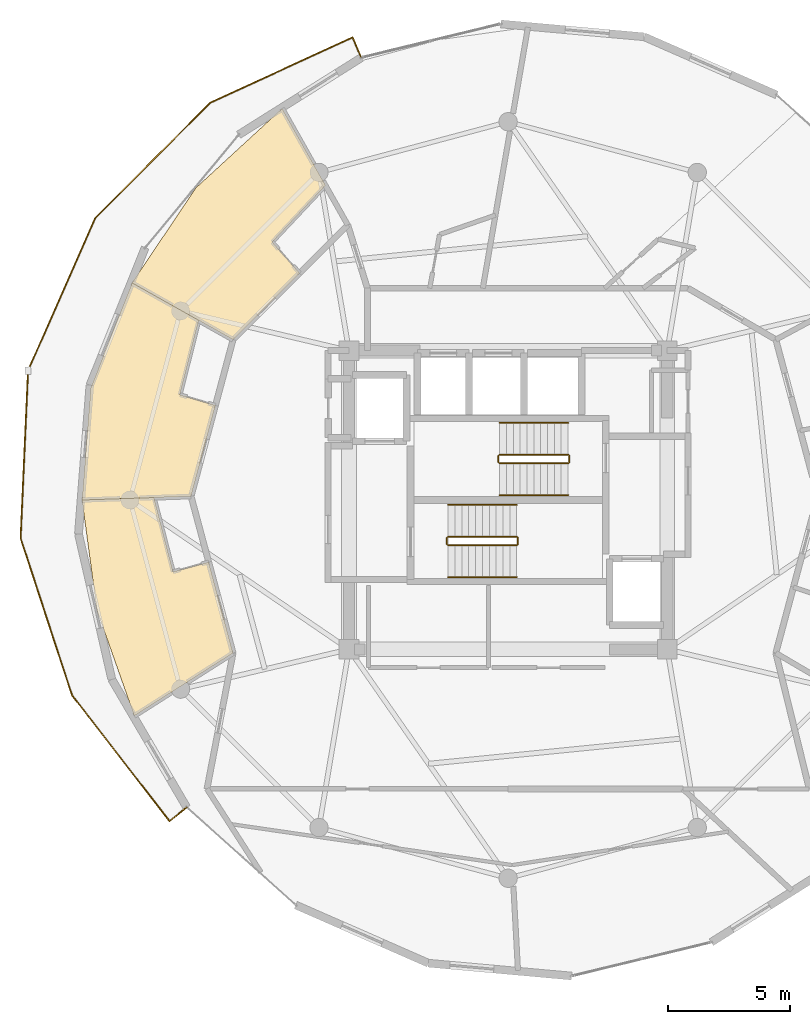
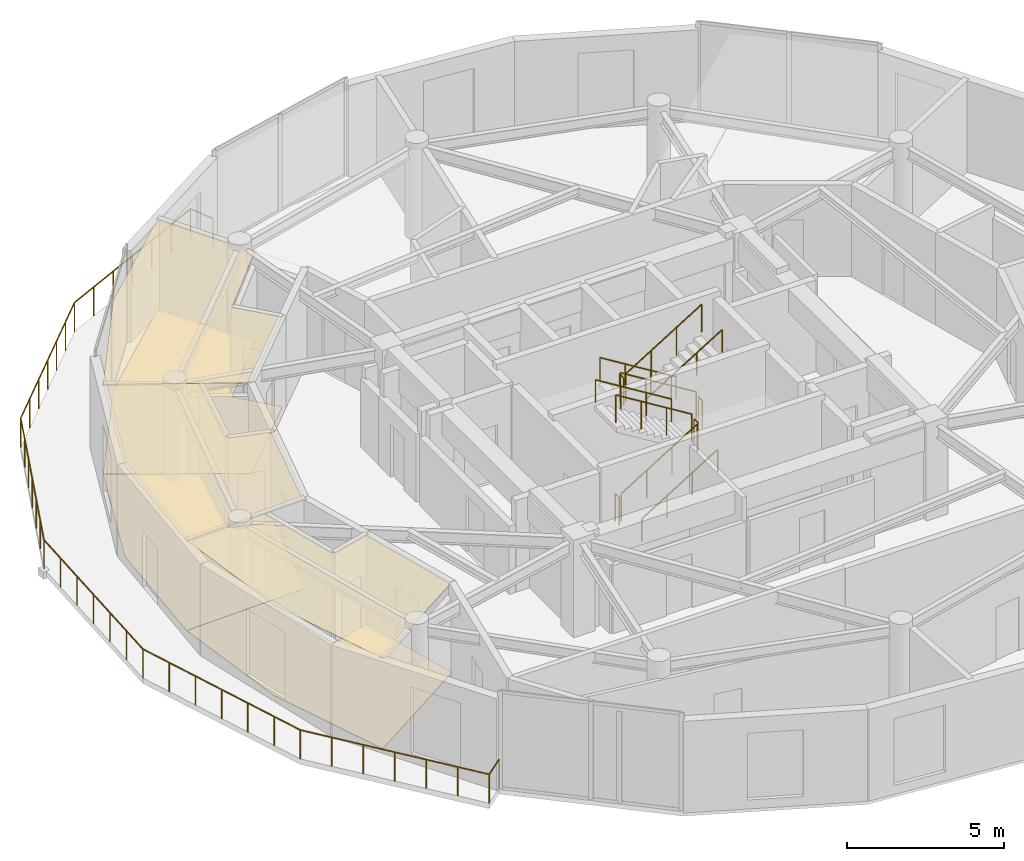
# One storey, part 18 of 19: 13 railings, 6 coverings.
"""IFC4 building model written with IfcOpenShell, lengths in metres."""

from ifc_helpers import new_model, si_unit, direction, frame, origin, origin_2d, place, context, subcontext, project, spatial, polyline, circle, outline, extrude, material, layer, layer_set, type_object, element, save


model = new_model("IFC4")

# Units and contexts
model_context = context("Model", 3, precision=1e-05, world=origin(), true_north=direction((0.0, 1.0)))
body_context = subcontext(model_context, "Body", "Model", "MODEL_VIEW")
ifc_project = project(units=[si_unit("LENGTHUNIT", "METRE"), si_unit("AREAUNIT", "SQUARE_METRE"), si_unit("VOLUMEUNIT", "CUBIC_METRE"), si_unit("PLANEANGLEUNIT", "RADIAN"), si_unit("MASSUNIT", "GRAM", prefix="KILO")], contexts=[model_context])

# Site, building, storey
site_placement = place(None, origin())
site = spatial("IfcSite", under=ifc_project, at=site_placement, CompositionType="ELEMENT")
building_placement = place(site_placement, origin())
building = spatial("IfcBuilding", under=site, at=building_placement, Name="Solvirekh Grand Hotel", CompositionType="ELEMENT")
storey_placement = place(building_placement, frame((0.0, 0.0, 266.800048828125)))
storey = spatial("IfcBuildingStorey", under=building, at=storey_placement, Name="L69", CompositionType="ELEMENT", Elevation=266.800048828125)

# Coverings
ifc_material_1 = material(Name="Acoustic Mineral Ceiling Tile")
ifc_layer_1 = layer(ifc_material_1, 0.02490234375)
ifc_layer_set_1 = layer_set([ifc_layer_1], Name="Acoustic Mineral Ceiling Tile")
covering_type_1 = type_object("IfcCoveringType", Name="Cov_Ceiling_Acoustic", PredefinedType="CEILING", material=ifc_layer_set_1)
covering_1_placement = place(storey_placement, frame((0.0, 0.0, 3.52001953125)))
element("IfcCovering", 1, at=covering_1_placement, inside=storey, type_object=covering_type_1, Name="L69 Deluxe Guestroom 7103 acoustic ceiling", PredefinedType="CEILING", context=body_context, shape_type="SweptSolid", body=[
    extrude(outline(polyline([(-9.635986328125, 10.535888671875), (-7.4609375, 12.85107421875), (-9.22998046875, 15.988037109375), (-12.7509765625, 12.7509765625), (-15.360107421875, 8.867919921875), (-11.235107421875, 6.550048828125), (-8.51806640625, 9.26708984375), (-9.635986328125, 10.535888671875)])), origin(), (0.0, 0.0, 1.0), 0.017822265625),
])
covering_2_placement = place(storey_placement, frame((0.0, 0.0, 3.52001953125)))
element("IfcCovering", 2, at=covering_2_placement, inside=storey, type_object=covering_type_1, Name="L69 Deluxe Guestroom 7104 acoustic ceiling", PredefinedType="CEILING", context=body_context, shape_type="SweptSolid", body=[
    extrude(outline(polyline([(-13.404052734375, 4.298095703125), (-12.636962890625, 7.337890625), (-15.360107421875, 8.867919921875), (-17.049072265625, 4.568115234375), (-17.402099609375, 0.0), (-12.949951171875, 0.14990234375), (-11.955078125, 3.862060546875), (-13.404052734375, 4.298095703125)])), origin(), (0.0, 0.0, 1.0), 0.017822265625),
])
covering_3_placement = place(storey_placement, frame((0.0, 0.0, 3.52001953125)))
element("IfcCovering", 3, at=covering_3_placement, inside=storey, type_object=covering_type_1, Name="L69 Deluxe Guestroom 7105 acoustic ceiling", PredefinedType="CEILING", context=body_context, shape_type="SweptSolid", body=[
    extrude(outline(polyline([(-13.68408203125, -2.93408203125), (-14.464111328125, 0.09912109375), (-17.402099609375, 0.0), (-16.794921875, -4.5), (-15.27001953125, -8.81591796875), (-11.235107421875, -6.25), (-12.22998046875, -2.5380859375), (-13.68408203125, -2.93408203125)])), origin(), (0.0, 0.0, 1.0), 0.017822265625),
])
ifc_material_2 = material(Name="Porcelain Stoneware Flooring", Category="masonry")
ifc_layer_2 = layer(ifc_material_2, 0.030029296875)
ifc_layer_set_2 = layer_set([ifc_layer_2], Name="Porcelain Stoneware Flooring")
covering_type_2 = type_object("IfcCoveringType", Name="Cov_Floor_Stone", PredefinedType="FLOORING", material=ifc_layer_set_2)
covering_4_placement = place(storey_placement, origin())
element("IfcCovering", 4, at=covering_4_placement, inside=storey, type_object=covering_type_2, Name="L69 Deluxe Guestroom 7103 polished granite flooring", PredefinedType="FLOORING", context=body_context, shape_type="SweptSolid", body=[
    extrude(outline(polyline([(-9.635986328125, 10.535888671875), (-7.4609375, 12.85107421875), (-9.22998046875, 15.988037109375), (-12.7509765625, 12.7509765625), (-15.360107421875, 8.867919921875), (-11.235107421875, 6.550048828125), (-8.51806640625, 9.26708984375), (-9.635986328125, 10.535888671875)])), origin(), (0.0, 0.0, 1.0), 0.02001953125),
])
covering_5_placement = place(storey_placement, origin())
element("IfcCovering", 5, at=covering_5_placement, inside=storey, type_object=covering_type_2, Name="L69 Deluxe Guestroom 7104 polished granite flooring", PredefinedType="FLOORING", context=body_context, shape_type="SweptSolid", body=[
    extrude(outline(polyline([(-13.404052734375, 4.298095703125), (-12.636962890625, 7.337890625), (-15.360107421875, 8.867919921875), (-17.049072265625, 4.568115234375), (-17.402099609375, 0.0), (-12.949951171875, 0.14990234375), (-11.955078125, 3.862060546875), (-13.404052734375, 4.298095703125)])), origin(), (0.0, 0.0, 1.0), 0.02001953125),
])
covering_6_placement = place(storey_placement, origin())
element("IfcCovering", 6, at=covering_6_placement, inside=storey, type_object=covering_type_2, Name="L69 Deluxe Guestroom 7105 polished granite flooring", PredefinedType="FLOORING", context=body_context, shape_type="SweptSolid", body=[
    extrude(outline(polyline([(-13.68408203125, -2.93408203125), (-14.464111328125, 0.09912109375), (-17.402099609375, 0.0), (-16.794921875, -4.5), (-15.27001953125, -8.81591796875), (-11.235107421875, -6.25), (-12.22998046875, -2.5380859375), (-13.68408203125, -2.93408203125)])), origin(), (0.0, 0.0, 1.0), 0.02001953125),
])

# Railings
ifc_material_3 = material(Name="Anodized Bronze Aluminium 6063-T6", Category="aluminium")
railing_type_1 = type_object("IfcRailingType", Name="Guard_ExtGlass_1150", PredefinedType="BALUSTRADE", material=ifc_material_3)
railing_1_placement = place(storey_placement, frame((-5.9990234375, 18.06591796875, 0.0)))
element("IfcRailing", 7, at=railing_1_placement, inside=storey, type_object=railing_type_1, Name="L69 balc perimeter glass balustrade", PredefinedType="BALUSTRADE", context=body_context, shape_type="SweptSolid", body=[
    extrude(circle(Radius=0.02392578125, at=origin_2d()), frame((0.0, 0.0, 1.1259765625), z_axis=(-0.389923036676, 0.920847449619, 0.0), x_axis=(-0.920847449619, -0.389923036676, 0.0)), (0.0, 0.0, 1.0), 0.900390625),
    extrude(circle(Radius=0.02392578125, at=origin_2d()), frame((-0.35107421875, 0.8291015625, 1.1259765625), z_axis=(-0.909135916489, -0.416499562245, 0.0), x_axis=(0.416499562245, -0.909135916489, 0.0)), (0.0, 0.0, 1.0), 6.39404296875),
    extrude(circle(Radius=0.02392578125, at=origin_2d()), frame((-6.1640625, -1.833984375, 1.1259765625), z_axis=(-0.706354511289, -0.707858251616, 0.0), x_axis=(0.707858251616, -0.706354511289, 0.0)), (0.0, 0.0, 1.0), 6.656494140625),
    extrude(circle(Radius=0.02392578125, at=origin_2d()), frame((-10.865966796875, -6.5458984375, 1.1259765625), z_axis=(-0.402852634988, -0.915264854828, 0.0), x_axis=(0.915264854828, -0.402852634988, 0.0)), (0.0, 0.0, 1.0), 6.816650390625),
    extrude(circle(Radius=0.02392578125, at=origin_2d()), frame((-13.612060546875, -12.784912109375, 1.1259765625), z_axis=(-0.044232238147, -0.999021275604, 0.0), x_axis=(0.999021275604, -0.044232238147, 0.0)), (0.0, 0.0, 1.0), 6.849609375),
    extrude(circle(Radius=0.02392578125, at=origin_2d()), frame((-13.9150390625, -19.6279296875, 1.1259765625), z_axis=(0.311217389374, -0.950338748316, 0.0), x_axis=(0.950338748316, 0.311217389374, 0.0)), (0.0, 0.0, 1.0), 6.744873046875),
    extrude(circle(Radius=0.02392578125, at=origin_2d()), frame((-11.81591796875, -26.037841796875, 1.1259765625), z_axis=(0.612231412563, -0.790678630969, 0.0), x_axis=(0.790678630969, 0.612231412563, 0.0)), (0.0, 0.0, 1.0), 6.512451171875),
    extrude(circle(Radius=0.02392578125, at=origin_2d()), frame((-7.828857421875, -31.18701171875, 1.1259765625), z_axis=(0.775043198532, 0.631908253158, 0.0), x_axis=(-0.631908253158, 0.775043198532, 0.0)), (0.0, 0.0, 1.0), 0.900634765625),
    extrude(circle(Radius=0.02099609375, at=origin_2d()), origin(), (0.0, 0.0, 1.0), 1.101806640625),
    extrude(circle(Radius=0.02099609375, at=origin_2d()), frame((-0.35107421875, 0.8291015625, 0.0)), (0.0, 0.0, 1.0), 1.101806640625),
    extrude(circle(Radius=0.02099609375, at=origin_2d()), frame((-1.31982421875, 0.38525390625, 0.0)), (0.0, 0.0, 1.0), 1.101806640625),
    extrude(circle(Radius=0.02099609375, at=origin_2d()), frame((-2.288818359375, -0.05859375, 0.0)), (0.0, 0.0, 1.0), 1.101806640625),
    extrude(circle(Radius=0.02099609375, at=origin_2d()), frame((-3.257568359375, -0.50244140625, 0.0)), (0.0, 0.0, 1.0), 1.101806640625),
    extrude(circle(Radius=0.02099609375, at=origin_2d()), frame((-4.226318359375, -0.9462890625, 0.0)), (0.0, 0.0, 1.0), 1.101806640625),
    extrude(circle(Radius=0.02099609375, at=origin_2d()), frame((-5.1953125, -1.39013671875, 0.0)), (0.0, 0.0, 1.0), 1.101806640625),
    extrude(circle(Radius=0.02099609375, at=origin_2d()), frame((-6.1640625, -1.833984375, 0.0)), (0.0, 0.0, 1.0), 1.101806640625),
    extrude(circle(Radius=0.02099609375, at=origin_2d()), frame((-6.94775390625, -2.619384765625, 0.0)), (0.0, 0.0, 1.0), 1.101806640625),
    extrude(circle(Radius=0.02099609375, at=origin_2d()), frame((-7.7314453125, -3.404541015625, 0.0)), (0.0, 0.0, 1.0), 1.101806640625),
    extrude(circle(Radius=0.02099609375, at=origin_2d()), frame((-8.51513671875, -4.18994140625, 0.0)), (0.0, 0.0, 1.0), 1.101806640625),
    extrude(circle(Radius=0.02099609375, at=origin_2d()), frame((-9.298583984375, -4.975341796875, 0.0)), (0.0, 0.0, 1.0), 1.101806640625),
    extrude(circle(Radius=0.02099609375, at=origin_2d()), frame((-10.082275390625, -5.760498046875, 0.0)), (0.0, 0.0, 1.0), 1.101806640625),
    extrude(circle(Radius=0.02099609375, at=origin_2d()), frame((-10.865966796875, -6.5458984375, 0.0)), (0.0, 0.0, 1.0), 1.101806640625),
    extrude(circle(Radius=0.02099609375, at=origin_2d()), frame((-11.32373046875, -7.585693359375, 0.0)), (0.0, 0.0, 1.0), 1.101806640625),
    extrude(circle(Radius=0.02099609375, at=origin_2d()), frame((-11.78125, -8.62548828125, 0.0)), (0.0, 0.0, 1.0), 1.101806640625),
    extrude(circle(Radius=0.02099609375, at=origin_2d()), frame((-12.239013671875, -9.66552734375, 0.0)), (0.0, 0.0, 1.0), 1.101806640625),
    extrude(circle(Radius=0.02099609375, at=origin_2d()), frame((-12.69677734375, -10.705322265625, 0.0)), (0.0, 0.0, 1.0), 1.101806640625),
    extrude(circle(Radius=0.02099609375, at=origin_2d()), frame((-13.154296875, -11.7451171875, 0.0)), (0.0, 0.0, 1.0), 1.101806640625),
    extrude(circle(Radius=0.02099609375, at=origin_2d()), frame((-13.612060546875, -12.784912109375, 0.0)), (0.0, 0.0, 1.0), 1.101806640625),
    extrude(circle(Radius=0.02099609375, at=origin_2d()), frame((-13.66259765625, -13.92529296875, 0.0)), (0.0, 0.0, 1.0), 1.101806640625),
    extrude(circle(Radius=0.02099609375, at=origin_2d()), frame((-13.713134765625, -15.06591796875, 0.0)), (0.0, 0.0, 1.0), 1.101806640625),
    extrude(circle(Radius=0.02099609375, at=origin_2d()), frame((-13.763671875, -16.20654296875, 0.0)), (0.0, 0.0, 1.0), 1.101806640625),
    extrude(circle(Radius=0.02099609375, at=origin_2d()), frame((-13.81396484375, -17.346923828125, 0.0)), (0.0, 0.0, 1.0), 1.101806640625),
    extrude(circle(Radius=0.02099609375, at=origin_2d()), frame((-13.864501953125, -18.4873046875, 0.0)), (0.0, 0.0, 1.0), 1.101806640625),
    extrude(circle(Radius=0.02099609375, at=origin_2d()), frame((-13.9150390625, -19.6279296875, 0.0)), (0.0, 0.0, 1.0), 1.101806640625),
    extrude(circle(Radius=0.02099609375, at=origin_2d()), frame((-13.565185546875, -20.6962890625, 0.0)), (0.0, 0.0, 1.0), 1.101806640625),
    extrude(circle(Radius=0.02099609375, at=origin_2d()), frame((-13.21533203125, -21.7646484375, 0.0)), (0.0, 0.0, 1.0), 1.101806640625),
    extrude(circle(Radius=0.02099609375, at=origin_2d()), frame((-12.865478515625, -22.8330078125, 0.0)), (0.0, 0.0, 1.0), 1.101806640625),
    extrude(circle(Radius=0.02099609375, at=origin_2d()), frame((-12.515625, -23.901123046875, 0.0)), (0.0, 0.0, 1.0), 1.101806640625),
    extrude(circle(Radius=0.02099609375, at=origin_2d()), frame((-12.165771484375, -24.969482421875, 0.0)), (0.0, 0.0, 1.0), 1.101806640625),
    extrude(circle(Radius=0.02099609375, at=origin_2d()), frame((-11.81591796875, -26.037841796875, 0.0)), (0.0, 0.0, 1.0), 1.101806640625),
    extrude(circle(Radius=0.02099609375, at=origin_2d()), frame((-11.1513671875, -26.89599609375, 0.0)), (0.0, 0.0, 1.0), 1.101806640625),
    extrude(circle(Radius=0.02099609375, at=origin_2d()), frame((-10.48681640625, -27.754150390625, 0.0)), (0.0, 0.0, 1.0), 1.101806640625),
    extrude(circle(Radius=0.02099609375, at=origin_2d()), frame((-9.822265625, -28.6123046875, 0.0)), (0.0, 0.0, 1.0), 1.101806640625),
    extrude(circle(Radius=0.02099609375, at=origin_2d()), frame((-9.157958984375, -29.470703125, 0.0)), (0.0, 0.0, 1.0), 1.101806640625),
    extrude(circle(Radius=0.02099609375, at=origin_2d()), frame((-8.493408203125, -30.328857421875, 0.0)), (0.0, 0.0, 1.0), 1.101806640625),
    extrude(circle(Radius=0.02099609375, at=origin_2d()), frame((-7.828857421875, -31.18701171875, 0.0)), (0.0, 0.0, 1.0), 1.101806640625),
    extrude(circle(Radius=0.02099609375, at=origin_2d()), frame((-7.130859375, -30.617919921875, 0.0)), (0.0, 0.0, 1.0), 1.101806640625),
])
ifc_material_4 = material(Name="Steel S355", Category="steel")
railing_type_2 = type_object("IfcRailingType", Name="Guard_Stair_1100", PredefinedType="GUARDRAIL", material=ifc_material_4)
railing_2_placement = place(storey_placement, frame((-2.449951171875, -1.85009765625, 0.172607421875)))
element("IfcRailing", 8, at=railing_2_placement, inside=storey, type_object=railing_type_2, Name="L69 ST-1 stair guard 1", PredefinedType="GUARDRAIL", context=body_context, shape_type="SweptSolid", body=[
    extrude(circle(Radius=0.02392578125, at=origin_2d()), frame((0.0, 0.0, 1.076171875), z_axis=(0.851089632645, 0.0, 0.525020415988), x_axis=(0.0, 1.0, 0.0)), (0.0, 0.0, 1.0), 3.2900390625),
    extrude(circle(Radius=0.02099609375, at=origin_2d()), origin(), (0.0, 0.0, 1.0), 1.052001953125),
    extrude(circle(Radius=0.02099609375, at=origin_2d()), frame((0.933349609375, 0.0, 0.57568359375)), (0.0, 0.0, 1.0), 1.052001953125),
    extrude(circle(Radius=0.02099609375, at=origin_2d()), frame((1.86669921875, 0.0, 1.151611328125)), (0.0, 0.0, 1.0), 1.052001953125),
    extrude(circle(Radius=0.02099609375, at=origin_2d()), frame((2.800048828125, 0.0, 1.727294921875)), (0.0, 0.0, 1.0), 1.052001953125),
])
railing_3_placement = place(storey_placement, frame((0.39990234375, -1.800048828125, 1.89990234375)))
element("IfcRailing", 9, at=railing_3_placement, inside=storey, type_object=railing_type_2, Name="L69 ST-1 stair guard 2", PredefinedType="GUARDRAIL", context=body_context, shape_type="SweptSolid", body=[
    extrude(circle(Radius=0.02392578125, at=origin_2d()), frame((0.0, 0.0, 1.076171875), z_axis=(0.0, 1.0, 0.0), x_axis=(-1.0, 0.0, 0.0)), (0.0, 0.0, 1.0), 0.25),
    extrude(circle(Radius=0.02099609375, at=origin_2d()), origin(), (0.0, 0.0, 1.0), 1.052001953125),
    extrude(circle(Radius=0.02099609375, at=origin_2d()), frame((0.0, 0.25, 0.0)), (0.0, 0.0, 1.0), 1.052001953125),
])
railing_4_placement = place(storey_placement, frame((0.35009765625, -1.5, 2.07275390625)))
element("IfcRailing", 10, at=railing_4_placement, inside=storey, type_object=railing_type_2, Name="L69 ST-1 stair guard 3", PredefinedType="GUARDRAIL", context=body_context, shape_type="SweptSolid", body=[
    extrude(circle(Radius=0.02392578125, at=origin_2d()), frame((0.0, 0.0, 1.076171875), z_axis=(-0.851089632645, 0.0, 0.525020415988), x_axis=(0.0, -1.0, 0.0)), (0.0, 0.0, 1.0), 3.2900390625),
    extrude(circle(Radius=0.02099609375, at=origin_2d()), origin(), (0.0, 0.0, 1.0), 1.052001953125),
    extrude(circle(Radius=0.02099609375, at=origin_2d()), frame((-0.933349609375, 0.0, 0.57568359375)), (0.0, 0.0, 1.0), 1.052001953125),
    extrude(circle(Radius=0.02099609375, at=origin_2d()), frame((-1.86669921875, 0.0, 1.151611328125)), (0.0, 0.0, 1.0), 1.052001953125),
    extrude(circle(Radius=0.02099609375, at=origin_2d()), frame((-2.800048828125, 0.0, 1.727294921875)), (0.0, 0.0, 1.0), 1.052001953125),
])
railing_5_placement = place(storey_placement, frame((-2.5, -1.800048828125, 0.0)))
element("IfcRailing", 11, at=railing_5_placement, inside=storey, type_object=railing_type_2, Name="L69 ST-1 stair guard 4", PredefinedType="GUARDRAIL", context=body_context, shape_type="SweptSolid", body=[
    extrude(circle(Radius=0.02392578125, at=origin_2d()), frame((0.0, 0.0, 1.076171875), z_axis=(0.0, 1.0, 0.0), x_axis=(-1.0, 0.0, 0.0)), (0.0, 0.0, 1.0), 0.25),
    extrude(circle(Radius=0.02099609375, at=origin_2d()), origin(), (0.0, 0.0, 1.0), 1.052001953125),
    extrude(circle(Radius=0.02099609375, at=origin_2d()), frame((0.0, 0.25, 0.0)), (0.0, 0.0, 1.0), 1.052001953125),
])
railing_6_placement = place(storey_placement, frame((2.449951171875, 1.85009765625, 0.172607421875)))
element("IfcRailing", 12, at=railing_6_placement, inside=storey, type_object=railing_type_2, Name="L69 ST-2 stair guard 1", PredefinedType="GUARDRAIL", context=body_context, shape_type="SweptSolid", body=[
    extrude(circle(Radius=0.02392578125, at=origin_2d()), frame((0.0, 0.0, 1.076171875), z_axis=(-0.851089632645, 0.0, 0.525020415988), x_axis=(0.0, -1.0, 0.0)), (0.0, 0.0, 1.0), 3.2900390625),
    extrude(circle(Radius=0.02099609375, at=origin_2d()), origin(), (0.0, 0.0, 1.0), 1.052001953125),
    extrude(circle(Radius=0.02099609375, at=origin_2d()), frame((-0.933349609375, 0.0, 0.57568359375)), (0.0, 0.0, 1.0), 1.052001953125),
    extrude(circle(Radius=0.02099609375, at=origin_2d()), frame((-1.86669921875, 0.0, 1.151611328125)), (0.0, 0.0, 1.0), 1.052001953125),
    extrude(circle(Radius=0.02099609375, at=origin_2d()), frame((-2.800048828125, 0.0, 1.727294921875)), (0.0, 0.0, 1.0), 1.052001953125),
])
railing_7_placement = place(storey_placement, frame((-0.39990234375, 1.800048828125, 1.89990234375)))
element("IfcRailing", 13, at=railing_7_placement, inside=storey, type_object=railing_type_2, Name="L69 ST-2 stair guard 2", PredefinedType="GUARDRAIL", context=body_context, shape_type="SweptSolid", body=[
    extrude(circle(Radius=0.02392578125, at=origin_2d()), frame((0.0, 0.0, 1.076171875), z_axis=(0.0, -1.0, 0.0), x_axis=(1.0, 0.0, 0.0)), (0.0, 0.0, 1.0), 0.25),
    extrude(circle(Radius=0.02099609375, at=origin_2d()), origin(), (0.0, 0.0, 1.0), 1.052001953125),
    extrude(circle(Radius=0.02099609375, at=origin_2d()), frame((0.0, -0.25, 0.0)), (0.0, 0.0, 1.0), 1.052001953125),
])
railing_8_placement = place(storey_placement, frame((-0.35009765625, 1.5, 2.07275390625)))
element("IfcRailing", 14, at=railing_8_placement, inside=storey, type_object=railing_type_2, Name="L69 ST-2 stair guard 3", PredefinedType="GUARDRAIL", context=body_context, shape_type="SweptSolid", body=[
    extrude(circle(Radius=0.02392578125, at=origin_2d()), frame((0.0, 0.0, 1.076171875), z_axis=(0.851089632645, 0.0, 0.525020415988), x_axis=(0.0, 1.0, 0.0)), (0.0, 0.0, 1.0), 3.2900390625),
    extrude(circle(Radius=0.02099609375, at=origin_2d()), origin(), (0.0, 0.0, 1.0), 1.052001953125),
    extrude(circle(Radius=0.02099609375, at=origin_2d()), frame((0.933349609375, 0.0, 0.57568359375)), (0.0, 0.0, 1.0), 1.052001953125),
    extrude(circle(Radius=0.02099609375, at=origin_2d()), frame((1.86669921875, 0.0, 1.151611328125)), (0.0, 0.0, 1.0), 1.052001953125),
    extrude(circle(Radius=0.02099609375, at=origin_2d()), frame((2.800048828125, 0.0, 1.727294921875)), (0.0, 0.0, 1.0), 1.052001953125),
])
railing_9_placement = place(storey_placement, frame((2.5, 1.800048828125, 0.0)))
element("IfcRailing", 15, at=railing_9_placement, inside=storey, type_object=railing_type_2, Name="L69 ST-2 stair guard 4", PredefinedType="GUARDRAIL", context=body_context, shape_type="SweptSolid", body=[
    extrude(circle(Radius=0.02392578125, at=origin_2d()), frame((0.0, 0.0, 1.076171875), z_axis=(0.0, -1.0, 0.0), x_axis=(1.0, 0.0, 0.0)), (0.0, 0.0, 1.0), 0.25),
    extrude(circle(Radius=0.02099609375, at=origin_2d()), origin(), (0.0, 0.0, 1.0), 1.052001953125),
    extrude(circle(Radius=0.02099609375, at=origin_2d()), frame((0.0, -0.25, 0.0)), (0.0, 0.0, 1.0), 1.052001953125),
])
railing_type_3 = type_object("IfcRailingType", Name="Handrail_Wall_900", PredefinedType="HANDRAIL", material=ifc_material_3)
railing_10_placement = place(storey_placement, frame((-2.449951171875, -3.14990234375, 0.172607421875)))
element("IfcRailing", 16, at=railing_10_placement, inside=storey, type_object=railing_type_3, Name="L69 ST-1 stair handrail 1", PredefinedType="HANDRAIL", context=body_context, shape_type="SweptSolid", body=[
    extrude(circle(Radius=0.02392578125, at=origin_2d()), frame((0.0, 0.0, 0.8759765625), z_axis=(0.851089632645, 0.0, 0.525020415988), x_axis=(0.0, 1.0, 0.0)), (0.0, 0.0, 1.0), 3.2900390625),
    extrude(circle(Radius=0.02099609375, at=origin_2d()), origin(), (0.0, 0.0, 1.0), 0.851806640625),
    extrude(circle(Radius=0.02099609375, at=origin_2d()), frame((0.933349609375, 0.0, 0.57568359375)), (0.0, 0.0, 1.0), 0.851806640625),
    extrude(circle(Radius=0.02099609375, at=origin_2d()), frame((1.86669921875, 0.0, 1.151611328125)), (0.0, 0.0, 1.0), 0.851806640625),
    extrude(circle(Radius=0.02099609375, at=origin_2d()), frame((2.800048828125, 0.0, 1.727294921875)), (0.0, 0.0, 1.0), 0.851806640625),
])
for number, where, name in (
    (17, (0.35009765625, -0.199951171875, 2.07275390625), "L69 ST-1 stair handrail 2"),
    (18, (2.449951171875, 3.14990234375, 0.172607421875), "L69 ST-2 stair handrail 1"),
):
    element("IfcRailing", number, at=place(storey_placement, frame(where)), inside=storey, type_object=railing_type_3, Name=name, PredefinedType="HANDRAIL", context=body_context, shape_type="SweptSolid", body=[
        extrude(circle(Radius=0.02392578125, at=origin_2d()), frame((0.0, 0.0, 0.8759765625), z_axis=(-0.851089632645, 0.0, 0.525020415988), x_axis=(0.0, -1.0, 0.0)), (0.0, 0.0, 1.0), 3.2900390625),
        extrude(circle(Radius=0.02099609375, at=origin_2d()), origin(), (0.0, 0.0, 1.0), 0.851806640625),
        extrude(circle(Radius=0.02099609375, at=origin_2d()), frame((-0.933349609375, 0.0, 0.57568359375)), (0.0, 0.0, 1.0), 0.851806640625),
        extrude(circle(Radius=0.02099609375, at=origin_2d()), frame((-1.86669921875, 0.0, 1.151611328125)), (0.0, 0.0, 1.0), 0.851806640625),
        extrude(circle(Radius=0.02099609375, at=origin_2d()), frame((-2.800048828125, 0.0, 1.727294921875)), (0.0, 0.0, 1.0), 0.851806640625),
    ])
railing_11_placement = place(storey_placement, frame((-0.35009765625, 0.199951171875, 2.07275390625)))
element("IfcRailing", 19, at=railing_11_placement, inside=storey, type_object=railing_type_3, Name="L69 ST-2 stair handrail 2", PredefinedType="HANDRAIL", context=body_context, shape_type="SweptSolid", body=[
    extrude(circle(Radius=0.02392578125, at=origin_2d()), frame((0.0, 0.0, 0.8759765625), z_axis=(0.851089632645, 0.0, 0.525020415988), x_axis=(0.0, 1.0, 0.0)), (0.0, 0.0, 1.0), 3.2900390625),
    extrude(circle(Radius=0.02099609375, at=origin_2d()), origin(), (0.0, 0.0, 1.0), 0.851806640625),
    extrude(circle(Radius=0.02099609375, at=origin_2d()), frame((0.933349609375, 0.0, 0.57568359375)), (0.0, 0.0, 1.0), 0.851806640625),
    extrude(circle(Radius=0.02099609375, at=origin_2d()), frame((1.86669921875, 0.0, 1.151611328125)), (0.0, 0.0, 1.0), 0.851806640625),
    extrude(circle(Radius=0.02099609375, at=origin_2d()), frame((2.800048828125, 0.0, 1.727294921875)), (0.0, 0.0, 1.0), 0.851806640625),
])

save(model, "model.ifc")
